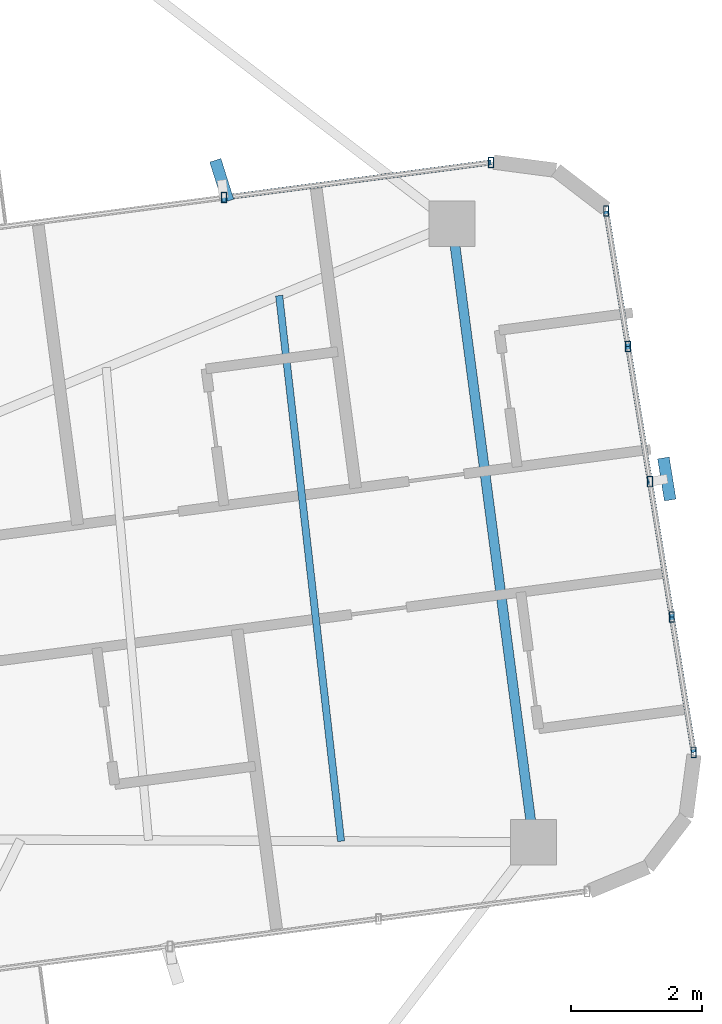
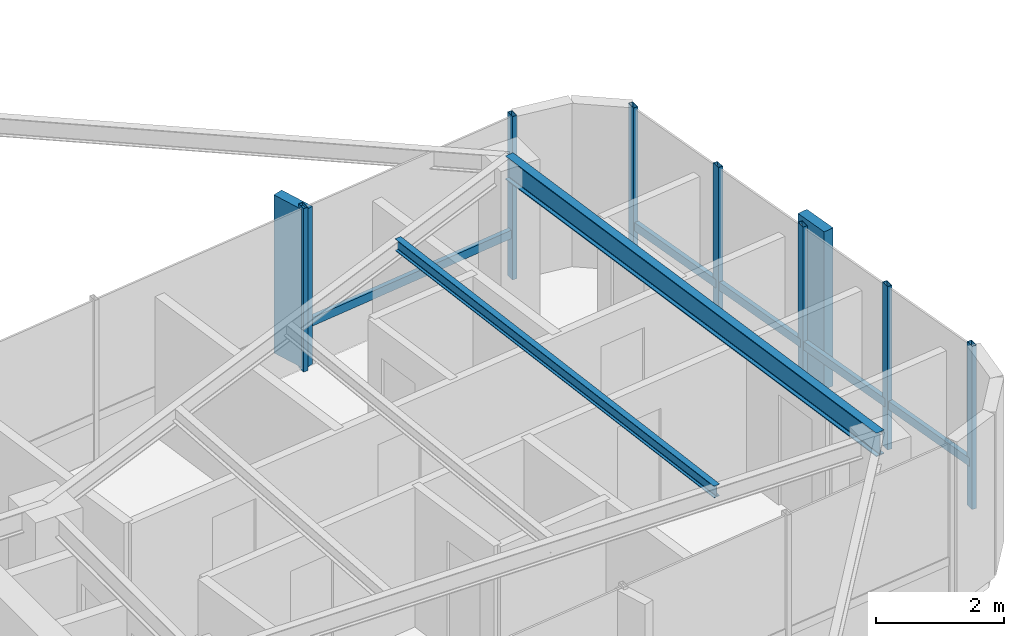
# One storey, part 13 of 23: 14 members, 2 beams, 2 elements without a shape of their own.
"""IFC4 building model written with IfcOpenShell, lengths in metres."""

from ifc_helpers import new_model, si_unit, direction, frame, origin, origin_2d, place, context, subcontext, project, spatial, rectangle, hollow_rectangle, i_section, extrude, source, transform, mapped, material, material_profile, profile_set, type_object, element, aggregate, save


model = new_model("IFC4")

# Units and contexts
model_context = context("Model", 3, precision=1e-05, world=origin(), true_north=direction((0.0, 1.0)))
body_context = subcontext(model_context, "Body", "Model", "MODEL_VIEW")
ifc_project = project(units=[si_unit("LENGTHUNIT", "METRE"), si_unit("AREAUNIT", "SQUARE_METRE"), si_unit("VOLUMEUNIT", "CUBIC_METRE"), si_unit("PLANEANGLEUNIT", "RADIAN"), si_unit("MASSUNIT", "GRAM", prefix="KILO")], contexts=[model_context])

# Site, building, storey
site_placement = place(None, origin())
site = spatial("IfcSite", under=ifc_project, at=site_placement, CompositionType="ELEMENT")
building_placement = place(site_placement, origin())
building = spatial("IfcBuilding", under=site, at=building_placement, Name="Sahyath Konkavel Grand Hotel", CompositionType="ELEMENT")
storey_placement = place(building_placement, frame((0.0, 0.0, 254.550048828125)))
storey = spatial("IfcBuildingStorey", under=building, at=storey_placement, Name="L71", CompositionType="ELEMENT", Elevation=254.550048828125)

# Beams
ifc_material_1 = material(Name="Steel E350", Category="steel")
ifc_material_profile_1 = material_profile(ifc_material_1, i_section(OverallWidth=0.14990234375, OverallDepth=0.449951171875, WebThickness=0.009521484375, FlangeThickness=0.017333984375, FilletRadius=0.014892578125, at=origin_2d()), Name="ISMB 450")
ifc_profile_set_1 = profile_set([ifc_material_profile_1], Name="Steel E350")
beam_type_1 = type_object("IfcBeamType", Name="BM-ISMB450", PredefinedType="BEAM", material=ifc_profile_set_1)
shared_shape_1 = source(origin(), body_context, "Body", "SweptSolid", [
    extrude(i_section(OverallWidth=0.14990234375, OverallDepth=0.449951171875, WebThickness=0.009521484375, FlangeThickness=0.017333984375, FilletRadius=0.014892578125, at=origin_2d()), origin(), (0.0, 0.0, 1.0), 9.508056640625),
])
beam_1_placement = place(storey_placement, frame((17.725830078125, -2.46142578125, 2.885009765625), z_axis=(-0.130516948512, 0.991446078287, 0.0), x_axis=(-0.991446078287, -0.130516948512, 0.0)))
element("IfcBeam", 1, at=beam_1_placement, inside=storey, type_object=beam_type_1, Name="L71 Wing Tip Edge Beam E", PredefinedType="BEAM", context=body_context, shape_type="MappedRepresentation", body=[
    mapped(shared_shape_1, transform((0.0, 0.0, 0.0), scale=1.0)),
])
ifc_material_profile_2 = material_profile(ifc_material_1, i_section(OverallWidth=0.110107421875, OverallDepth=0.22509765625, WebThickness=0.006591796875, FlangeThickness=0.01171875, FilletRadius=0.011962890625, at=origin_2d()), Name="ISMB 225")
ifc_profile_set_2 = profile_set([ifc_material_profile_2], Name="Steel E350")
beam_type_2 = type_object("IfcBeamType", Name="BM-ISMB225", PredefinedType="BEAM", material=ifc_profile_set_2)
shared_shape_2 = source(origin(), body_context, "Body", "SweptSolid", [
    extrude(i_section(OverallWidth=0.110107421875, OverallDepth=0.22509765625, WebThickness=0.006591796875, FlangeThickness=0.01171875, FilletRadius=0.011962890625, at=origin_2d()), origin(), (0.0, 0.0, 1.0), 8.36962890625),
])
beam_2_placement = place(storey_placement, frame((14.791748046875, -2.44677734375, 2.99755859375), z_axis=(-0.11271072074, 0.993627844533, 0.0), x_axis=(-0.993627844533, -0.11271072074, 0.0)))
element("IfcBeam", 2, at=beam_2_placement, inside=storey, type_object=beam_type_2, Name="L71 Secondary Floor Beam E-3", PredefinedType="BEAM", context=body_context, shape_type="MappedRepresentation", body=[
    mapped(shared_shape_2, transform((0.0, 0.0, 0.0), scale=1.0)),
])

# Curtain wall, members
ifc_material_2 = material(Name="Anodised Bronze Aluminium & Low-E Glazing", Category="aluminium")
curtain_wall_type = type_object("IfcCurtainWallType", Name="CW-ZONE4", PredefinedType="NOTDEFINED", material=ifc_material_2)
curtain_wall_1_placement = place(storey_placement, origin())
curtain_wall_1 = element("IfcCurtainWall", 3, at=curtain_wall_1_placement, inside=storey, type_object=curtain_wall_type, Name="L71 Unitised Curtain Wall F4", PredefinedType="NOTDEFINED")
ifc_material_3 = material(Name="Anodised Bronze Aluminium", Category="aluminium")
ifc_material_profile_3 = material_profile(ifc_material_3, hollow_rectangle(XDim=0.080078125, YDim=0.159912109375, WallThickness=0.006103515625, at=origin_2d()), Name="RHS 160x80x6")
ifc_profile_set_3 = profile_set([ifc_material_profile_3], Name="Anodised Bronze Aluminium")
member_type_1 = type_object("IfcMemberType", Name="CW-MUL-160", PredefinedType="MULLION", material=ifc_profile_set_3)
shared_shape_3 = source(origin(), body_context, "Body", "SweptSolid", [
    extrude(hollow_rectangle(XDim=0.080078125, YDim=0.159912109375, WallThickness=0.006103515625, at=origin_2d()), origin(), (0.0, 0.0, 1.0), 3.10986328125),
])
member_1_placement = place(storey_placement, frame((20.166748046875, -1.091064453125, 0.0), z_axis=(0.0, 0.0, 1.0), x_axis=(1.0, 0.0, 0.0)))
member_1 = element("IfcMember", 4, at=member_1_placement, type_object=member_type_1, Name="L71 Curtain Wall Mullion F4-0", PredefinedType="MULLION", context=body_context, shape_type="MappedRepresentation", body=[
    mapped(shared_shape_3, transform((0.0, 0.0, 0.0), scale=1.0)),
])
member_2_placement = place(storey_placement, frame((19.83349609375, 0.971435546875, 0.0), z_axis=(0.0, 0.0, 1.0), x_axis=(1.0, 0.0, 0.0)))
member_2 = element("IfcMember", 5, at=member_2_placement, type_object=member_type_1, Name="L71 Curtain Wall Mullion F4-1", PredefinedType="MULLION", context=body_context, shape_type="MappedRepresentation", body=[
    mapped(shared_shape_3, transform((0.0, 0.0, 0.0), scale=1.0)),
])
member_3_placement = place(storey_placement, frame((19.5, 3.03369140625, 0.0), z_axis=(0.0, 0.0, 1.0), x_axis=(1.0, 0.0, 0.0)))
member_3 = element("IfcMember", 6, at=member_3_placement, type_object=member_type_1, Name="L71 Curtain Wall Mullion F4-2", PredefinedType="MULLION", context=body_context, shape_type="MappedRepresentation", body=[
    mapped(shared_shape_3, transform((0.0, 0.0, 0.0), scale=1.0)),
])
member_4_placement = place(storey_placement, frame((19.16650390625, 5.09619140625, 0.0), z_axis=(0.0, 0.0, 1.0), x_axis=(1.0, 0.0, 0.0)))
member_4 = element("IfcMember", 7, at=member_4_placement, type_object=member_type_1, Name="L71 Curtain Wall Mullion F4-3", PredefinedType="MULLION", context=body_context, shape_type="MappedRepresentation", body=[
    mapped(shared_shape_3, transform((0.0, 0.0, 0.0), scale=1.0)),
])
member_5_placement = place(storey_placement, frame((18.8330078125, 7.158447265625, 0.0), z_axis=(0.0, 0.0, 1.0), x_axis=(1.0, 0.0, 0.0)))
member_5 = element("IfcMember", 8, at=member_5_placement, type_object=member_type_1, Name="L71 Curtain Wall Mullion F4-4", PredefinedType="MULLION", context=body_context, shape_type="MappedRepresentation", body=[
    mapped(shared_shape_3, transform((0.0, 0.0, 0.0), scale=1.0)),
])

curtain_wall_2_placement = place(storey_placement, origin())
curtain_wall_2 = element("IfcCurtainWall", 9, at=curtain_wall_2_placement, inside=storey, type_object=curtain_wall_type, Name="L71 Unitised Curtain Wall F7", PredefinedType="NOTDEFINED")
member_6_placement = place(storey_placement, frame((17.077880859375, 7.900634765625, 0.0), z_axis=(0.0, 0.0, 1.0), x_axis=(1.0, 0.0, 0.0)))
member_6 = element("IfcMember", 10, at=member_6_placement, type_object=member_type_1, Name="L71 Curtain Wall Mullion F7-0", PredefinedType="MULLION", context=body_context, shape_type="MappedRepresentation", body=[
    mapped(shared_shape_3, transform((0.0, 0.0, 0.0), scale=1.0)),
])
member_7_placement = place(storey_placement, frame((13.006591796875, 7.36474609375, 0.0), z_axis=(0.0, 0.0, 1.0), x_axis=(1.0, 0.0, 0.0)))
member_7 = element("IfcMember", 11, at=member_7_placement, type_object=member_type_1, Name="L71 Curtain Wall Mullion F7-1", PredefinedType="MULLION", context=body_context, shape_type="MappedRepresentation", body=[
    mapped(shared_shape_3, transform((0.0, 0.0, 0.0), scale=1.0)),
])

# Member
ifc_material_4 = material(Name="Warm Buff Sandstone Cladding on Concrete C50/60", Category="masonry")
ifc_material_profile_4 = material_profile(ifc_material_4, rectangle(XDim=0.179931640625, YDim=0.64990234375, at=origin_2d()), Name="FIN 180x650")
ifc_profile_set_4 = profile_set([ifc_material_profile_4], Name="Warm Buff Sandstone Cladding on Concrete C50/60")
member_type_2 = type_object("IfcMemberType", Name="FIN-SANDSTONE-650", PredefinedType="MULLION", material=ifc_profile_set_4)
shared_shape_4 = source(origin(), body_context, "Body", "SweptSolid", [
    extrude(rectangle(XDim=0.179931640625, YDim=0.64990234375, at=origin_2d()), origin(), (0.0, 0.0, 1.0), 3.010009765625),
])
member_8_placement = place(storey_placement, frame((19.756591796875, 3.0751953125, 0.050048828125), z_axis=(0.0, 0.0, 1.0), x_axis=(0.98724764263, 0.159191997666, 0.0)))
member_8 = element("IfcMember", 12, at=member_8_placement, type_object=member_type_2, Name="L71 Sandstone Vertical Solar Fin FIN F4-2", PredefinedType="MULLION", context=body_context, shape_type="MappedRepresentation", body=[
    mapped(shared_shape_4, transform((0.0, 0.0, 0.0), scale=1.0)),
])

member_9_placement = place(storey_placement, frame((12.97265625, 7.62255859375, 0.050048828125), z_axis=(0.0, 0.0, 1.0), x_axis=(0.954083620326, 0.299540390309, 0.0)))
member_9 = element("IfcMember", 13, at=member_9_placement, type_object=member_type_2, Name="L71 Sandstone Vertical Solar Fin FIN F7-1", PredefinedType="MULLION", context=body_context, shape_type="MappedRepresentation", body=[
    mapped(shared_shape_4, transform((0.0, 0.0, 0.0), scale=1.0)),
])

ifc_material_profile_5 = material_profile(ifc_material_3, hollow_rectangle(XDim=0.080078125, YDim=0.159912109375, WallThickness=0.006103515625, at=origin_2d()), Name="RHS 160x80x6")
ifc_profile_set_5 = profile_set([ifc_material_profile_5], Name="Anodised Bronze Aluminium")
member_type_3 = type_object("IfcMemberType", Name="CW-TRN-160", PredefinedType="USERDEFINED", material=ifc_profile_set_5)
shared_shape_5 = source(origin(), body_context, "Body", "SweptSolid", [
    extrude(hollow_rectangle(XDim=0.080078125, YDim=0.159912109375, WallThickness=0.006103515625, at=origin_2d()), origin(), (0.0, 0.0, 1.0), 2.08935546875),
])
member_10_placement = place(storey_placement, frame((20.166748046875, -1.091064453125, 0.849853515625), z_axis=(-0.159507979697, 0.987196639182, 0.0), x_axis=(-0.987196639182, -0.159507979697, 0.0)))
member_10 = element("IfcMember", 14, at=member_10_placement, type_object=member_type_3, Name="L71 Curtain Wall Transom F4-0-spandrel", ObjectType="TRANSOM", PredefinedType="USERDEFINED", context=body_context, shape_type="MappedRepresentation", body=[
    mapped(shared_shape_5, transform((0.0, 0.0, 0.0), scale=1.0)),
])

member_11_placement = place(storey_placement, frame((19.5, 3.03369140625, 0.849853515625), z_axis=(-0.159621859041, 0.987178232193, 0.0), x_axis=(-0.987178232193, -0.159621859041, 0.0)))
member_11 = element("IfcMember", 15, at=member_11_placement, type_object=member_type_3, Name="L71 Curtain Wall Transom F4-2-spandrel", ObjectType="TRANSOM", PredefinedType="USERDEFINED", context=body_context, shape_type="MappedRepresentation", body=[
    mapped(shared_shape_5, transform((0.0, 0.0, 0.0), scale=1.0)),
])

shared_shape_6 = source(origin(), body_context, "Body", "SweptSolid", [
    extrude(hollow_rectangle(XDim=0.080078125, YDim=0.159912109375, WallThickness=0.006103515625, at=origin_2d()), origin(), (0.0, 0.0, 1.0), 2.089111328125),
])
member_12_placement = place(storey_placement, frame((19.83349609375, 0.971435546875, 0.849853515625), z_axis=(-0.159640274351, 0.987175254352, 0.0), x_axis=(-0.987175254352, -0.159640274351, 0.0)))
member_12 = element("IfcMember", 16, at=member_12_placement, type_object=member_type_3, Name="L71 Curtain Wall Transom F4-1-spandrel", ObjectType="TRANSOM", PredefinedType="USERDEFINED", context=body_context, shape_type="MappedRepresentation", body=[
    mapped(shared_shape_6, transform((0.0, 0.0, 0.0), scale=1.0)),
])

member_13_placement = place(storey_placement, frame((19.16650390625, 5.09619140625, 0.849853515625), z_axis=(-0.159640274351, 0.987175254352, 0.0), x_axis=(-0.987175254352, -0.159640274351, 0.0)))
member_13 = element("IfcMember", 17, at=member_13_placement, type_object=member_type_3, Name="L71 Curtain Wall Transom F4-3-spandrel", ObjectType="TRANSOM", PredefinedType="USERDEFINED", context=body_context, shape_type="MappedRepresentation", body=[
    mapped(shared_shape_6, transform((0.0, 0.0, 0.0), scale=1.0)),
])

aggregate(curtain_wall_1, [member_1, member_2, member_3, member_8, member_4, member_5, member_10, member_12, member_11, member_13])

shared_shape_7 = source(origin(), body_context, "Body", "SweptSolid", [
    extrude(hollow_rectangle(XDim=0.080078125, YDim=0.159912109375, WallThickness=0.006103515625, at=origin_2d()), origin(), (0.0, 0.0, 1.0), 4.1064453125),
])
member_14_placement = place(storey_placement, frame((17.077880859375, 7.900634765625, 0.849853515625), z_axis=(-0.991448223645, -0.13050065069, 0.0), x_axis=(0.13050065069, -0.991448223645, 0.0)))
member_14 = element("IfcMember", 18, at=member_14_placement, type_object=member_type_3, Name="L71 Curtain Wall Transom F7-0-spandrel", ObjectType="TRANSOM", PredefinedType="USERDEFINED", context=body_context, shape_type="MappedRepresentation", body=[
    mapped(shared_shape_7, transform((0.0, 0.0, 0.0), scale=1.0)),
])

aggregate(curtain_wall_2, [member_6, member_7, member_9, member_14])

save(model, "model.ifc")
